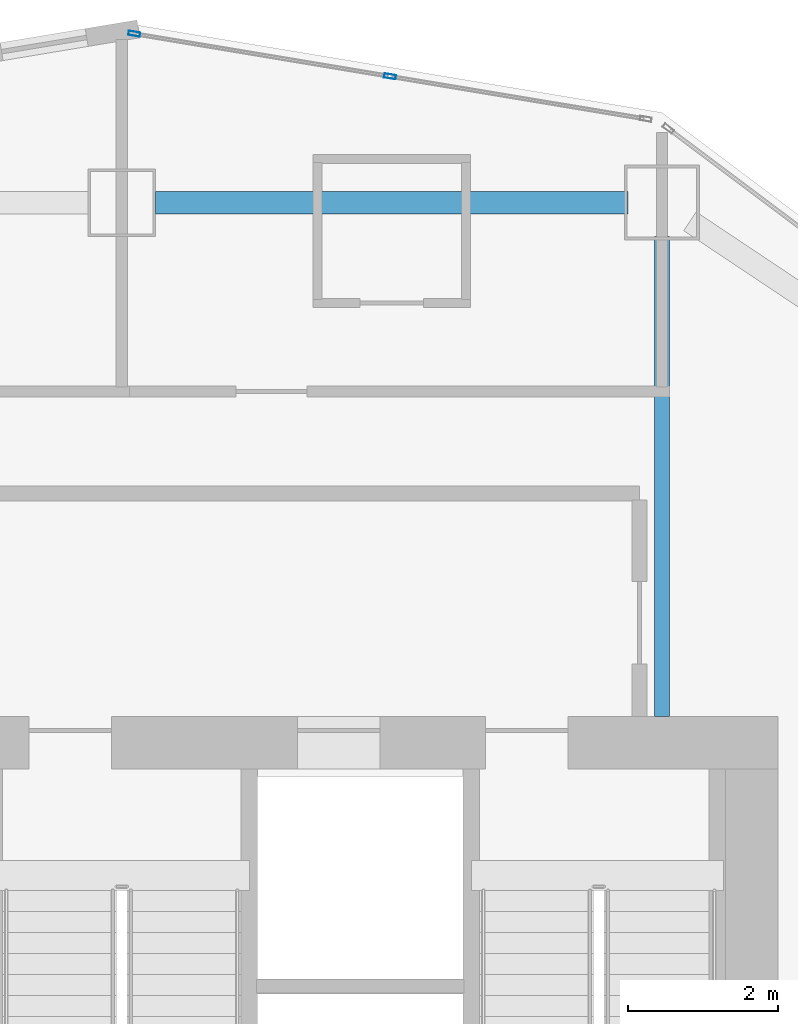
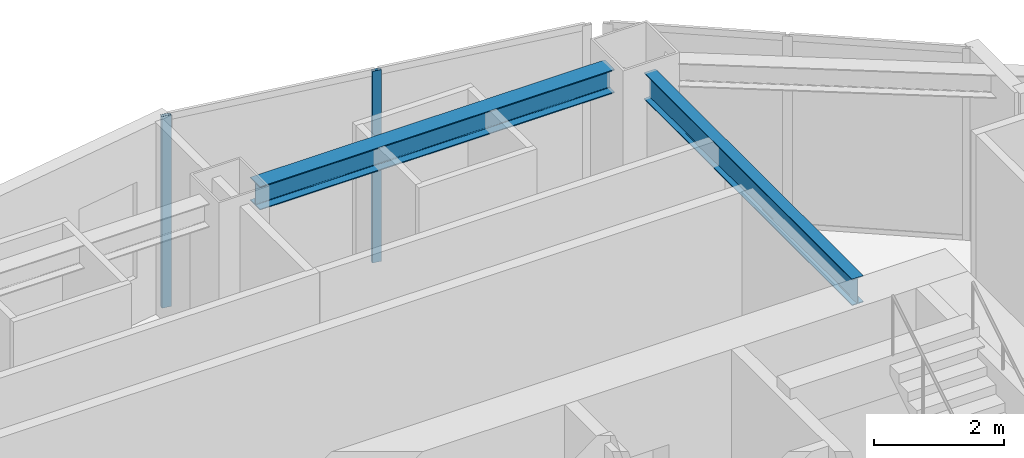
# One storey, part 2 of 14: 2 beams, 2 members, 1 element without a shape of its own.
"""IFC4 building model written with IfcOpenShell, lengths in metres."""

from ifc_helpers import new_model, si_unit, direction, frame, origin, origin_2d, place, context, subcontext, project, spatial, hollow_rectangle, i_section, extrude, material, layer, layer_set, material_profile, profile_set, type_object, element, aggregate, save


model = new_model("IFC4")

# Units and contexts
model_context = context("Model", 3, precision=1e-05, world=origin(), true_north=direction((0.0, 1.0)))
body_context = subcontext(model_context, "Body", "Model", "MODEL_VIEW")
ifc_project = project(units=[si_unit("LENGTHUNIT", "METRE"), si_unit("AREAUNIT", "SQUARE_METRE"), si_unit("VOLUMEUNIT", "CUBIC_METRE"), si_unit("PLANEANGLEUNIT", "RADIAN"), si_unit("MASSUNIT", "GRAM", prefix="KILO")], contexts=[model_context])

# Site, building, storey
site_placement = place(None, origin())
site = spatial("IfcSite", under=ifc_project, at=site_placement, CompositionType="ELEMENT")
building_placement = place(site_placement, origin())
building = spatial("IfcBuilding", under=site, at=building_placement, Name="Haolan Belvedere Tower", CompositionType="ELEMENT")
storey_placement = place(building_placement, frame((0.0, 0.0, 121.199951171875)))
storey = spatial("IfcBuildingStorey", under=building, at=storey_placement, Name="L30", CompositionType="ELEMENT", Elevation=121.199951171875)

# Beams
ifc_material_1 = material(Name="Steel Q355B", Category="steel")
ifc_material_profile_1 = material_profile(ifc_material_1, i_section(OverallWidth=0.300048828125, OverallDepth=0.43994140625, WebThickness=0.010986328125, FlangeThickness=0.01806640625, FilletRadius=0.02392578125, at=origin_2d()), Name="Steel Q355B")
ifc_profile_set_1 = profile_set([ifc_material_profile_1], Name="Steel Q355B")
beam_type_1 = type_object("IfcBeamType", Name="BM-HM440x300x11x18", PredefinedType="SPANDREL", material=ifc_profile_set_1)
beam_1_placement = place(storey_placement, frame((38.85009765625, 50.39990234375, 3.380126953125), z_axis=(1.0, 0.0, 0.0), x_axis=(0.0, 1.0, 0.0)))
element("IfcBeam", 1, at=beam_1_placement, inside=storey, type_object=beam_type_1, Name="L30 spandrel girder TC-T3-NM-MC-T3-N2", PredefinedType="SPANDREL", context=body_context, shape_type="SweptSolid", body=[
    extrude(i_section(OverallWidth=0.300048828125, OverallDepth=0.43994140625, WebThickness=0.010986328125, FlangeThickness=0.01806640625, FilletRadius=0.02392578125, at=origin_2d()), origin(), (0.0, 0.0, 1.0), 6.2998046875),
])
ifc_material_profile_2 = material_profile(ifc_material_1, i_section(OverallWidth=0.199951171875, OverallDepth=0.5, WebThickness=0.010009765625, FlangeThickness=0.01611328125, FilletRadius=0.02001953125, at=origin_2d()), Name="Steel Q355B")
ifc_profile_set_2 = profile_set([ifc_material_profile_2], Name="Steel Q355B")
beam_type_2 = type_object("IfcBeamType", Name="BM-HN500x200x10x16", PredefinedType="BEAM", material=ifc_profile_set_2)
beam_2_placement = place(storey_placement, frame((45.60009765625, 49.949951171875, 3.35009765625), z_axis=(0.0, -1.0, 0.0), x_axis=(1.0, 0.0, 0.0)))
element("IfcBeam", 2, at=beam_2_placement, inside=storey, type_object=beam_type_2, Name="L30 core tie beam from MC-T3-N2", PredefinedType="BEAM", context=body_context, shape_type="SweptSolid", body=[
    extrude(i_section(OverallWidth=0.199951171875, OverallDepth=0.5, WebThickness=0.010009765625, FlangeThickness=0.01611328125, FilletRadius=0.02001953125, at=origin_2d()), origin(), (0.0, 0.0, 1.0), 6.39990234375),
])

# Curtain wall, members
ifc_material_2 = material(Name="Anodised champagne-silver aluminium 6063-T6 and Low-E glass", Category="aluminium")
ifc_layer = layer(ifc_material_2, 0.155029296875, Name="Anodised champagne-silver aluminium 6063-T6 and Low-E glass")
ifc_layer_set = layer_set([ifc_layer], Name="Anodised champagne-silver aluminium 6063-T6 and Low-E glass")
curtain_wall_type = type_object("IfcCurtainWallType", Name="CW-SYS-03", PredefinedType="NOTDEFINED", material=ifc_layer_set)
curtain_wall_placement = place(storey_placement, origin())
curtain_wall = element("IfcCurtainWall", 3, at=curtain_wall_placement, inside=storey, type_object=curtain_wall_type, Name="L30 CW-SYS-03 ribbon curtain wall 27.1", PredefinedType="NOTDEFINED")
ifc_material_3 = material(Name="Anodised aluminium 6063-T6", Category="aluminium")
ifc_material_profile_3 = material_profile(ifc_material_3, hollow_rectangle(XDim=0.05810546875, YDim=0.155029296875, WallThickness=0.00390625, at=origin_2d()), Name="Anodised aluminium 6063-T6")
ifc_profile_set_3 = profile_set([ifc_material_profile_3], Name="Anodised aluminium 6063-T6")
member_type = type_object("IfcMemberType", Name="CW-SYS-03-MUL", PredefinedType="MULLION", material=ifc_profile_set_3)
member_1_placement = place(storey_placement, frame((41.9755859375, 52.082275390625, 0.0), z_axis=(0.0, 0.0, 1.0), x_axis=(-0.16440364043, -0.9863931483, 0.0)))
member_1 = element("IfcMember", 4, at=member_1_placement, type_object=member_type, Name="CW-03 mullion 2", PredefinedType="MULLION", context=body_context, shape_type="SweptSolid", body=[
    extrude(hollow_rectangle(XDim=0.05810546875, YDim=0.155029296875, WallThickness=0.00390625, at=origin_2d()), origin(), (0.0, 0.0, 1.0), 3.60009765625),
])
member_2_placement = place(storey_placement, frame((38.566650390625, 52.650634765625, 0.0), z_axis=(0.0, 0.0, 1.0), x_axis=(-0.16440364043, -0.9863931483, 0.0)))
member_2 = element("IfcMember", 5, at=member_2_placement, type_object=member_type, Name="CW-03 mullion 3", PredefinedType="MULLION", context=body_context, shape_type="SweptSolid", body=[
    extrude(hollow_rectangle(XDim=0.05810546875, YDim=0.155029296875, WallThickness=0.00390625, at=origin_2d()), origin(), (0.0, 0.0, 1.0), 3.60009765625),
])
aggregate(curtain_wall, [member_1, member_2])

save(model, "model.ifc")
